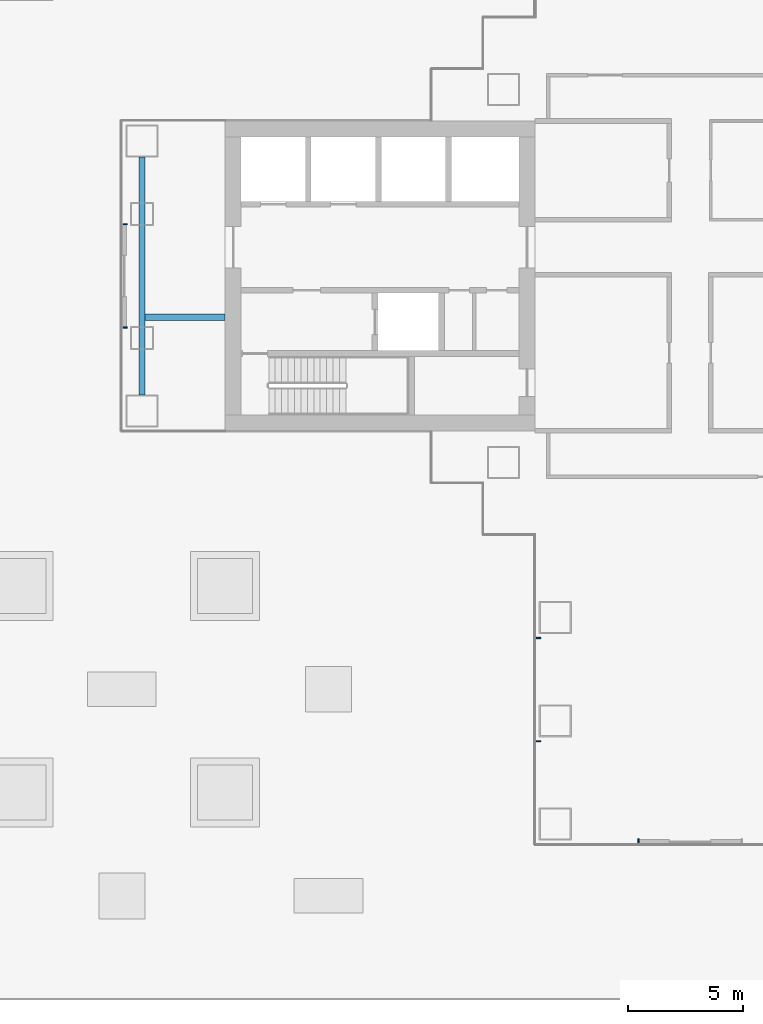
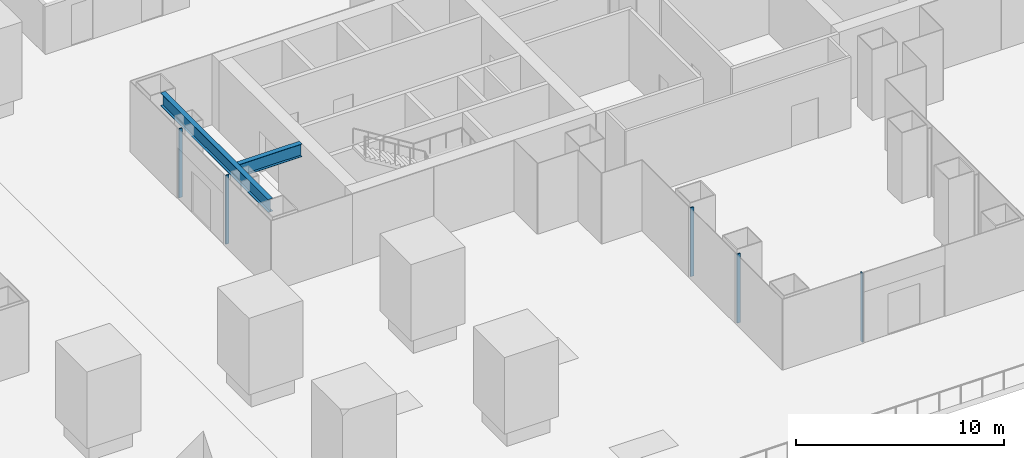
# One storey, part 7 of 23: 5 members, 2 beams, 3 elements without a shape of their own.
"""IFC4 building model written with IfcOpenShell, lengths in metres."""

from ifc_helpers import new_model, si_unit, direction, frame, origin, origin_2d, place, context, subcontext, project, spatial, rectangle, i_section, extrude, material, layer, layer_set, material_profile, profile_set, type_object, element, aggregate, save


model = new_model("IFC4")

# Units and contexts
model_context = context("Model", 3, precision=1e-05, world=origin(), true_north=direction((0.0, 1.0)))
body_context = subcontext(model_context, "Body", "Model", "MODEL_VIEW")
ifc_project = project(units=[si_unit("LENGTHUNIT", "METRE"), si_unit("AREAUNIT", "SQUARE_METRE"), si_unit("VOLUMEUNIT", "CUBIC_METRE"), si_unit("PLANEANGLEUNIT", "RADIAN"), si_unit("MASSUNIT", "GRAM", prefix="KILO")], contexts=[model_context])

# Site, building, storey
site_placement = place(None, origin())
site = spatial("IfcSite", under=ifc_project, at=site_placement, CompositionType="ELEMENT")
building_placement = place(site_placement, origin())
building = spatial("IfcBuilding", under=site, at=building_placement, Name="Shamsa Quay Exchange Towers", CompositionType="ELEMENT")
storey_placement = place(building_placement, frame((0.0, 0.0, 28.5)))
storey = spatial("IfcBuildingStorey", under=building, at=storey_placement, Name="L05", CompositionType="ELEMENT", Elevation=28.5)

# Curtain wall, members
ifc_material_1 = material(Name="Aluminium EN AW-6063 T6, black anodised", Category="aluminium")
ifc_layer = layer(ifc_material_1, 0.280029296875)
ifc_layer_set = layer_set([ifc_layer], Name="CW-1 UNITISED VISION GLASS")
curtain_wall_type = type_object("IfcCurtainWallType", Name="CW-1 UNITISED VISION GLASS", PredefinedType="NOTDEFINED", material=ifc_layer_set)
curtain_wall_1_placement = place(storey_placement, origin())
curtain_wall_1 = element("IfcCurtainWall", 1, at=curtain_wall_1_placement, inside=storey, type_object=curtain_wall_type, Name="CW1 T2-END-V+ L05", PredefinedType="NOTDEFINED")
ifc_material_profile_1 = material_profile(ifc_material_1, rectangle(XDim=0.179931640625, YDim=0.06005859375, at=origin_2d()), Name="MU60x180")
ifc_profile_set_1 = profile_set([ifc_material_profile_1], Name="Aluminium EN AW-6063 T6, black anodised")
member_type = type_object("IfcMemberType", Name="CW1 MULLION 60x180", PredefinedType="MULLION", material=ifc_profile_set_1)
member_1_placement = place(storey_placement, frame((9.14990234375, 2.25, 0.0)))
member_1 = element("IfcMember", 2, at=member_1_placement, type_object=member_type, Name="CW1 mullion", PredefinedType="MULLION", context=body_context, shape_type="SweptSolid", body=[
    extrude(rectangle(XDim=0.179931640625, YDim=0.06005859375, at=origin_2d()), origin(), (0.0, 0.0, 1.0), 4.050048828125),
])
member_2_placement = place(storey_placement, frame((9.14990234375, -2.25, 0.0)))
member_2 = element("IfcMember", 3, at=member_2_placement, type_object=member_type, Name="CW1 mullion", PredefinedType="MULLION", context=body_context, shape_type="SweptSolid", body=[
    extrude(rectangle(XDim=0.179931640625, YDim=0.06005859375, at=origin_2d()), origin(), (0.0, 0.0, 1.0), 4.050048828125),
])
aggregate(curtain_wall_1, [member_1, member_2])

curtain_wall_2_placement = place(storey_placement, origin())
curtain_wall_2 = element("IfcCurtainWall", 4, at=curtain_wall_2_placement, inside=storey, type_object=curtain_wall_type, Name="CW1 T2-FLK-U-N L05", PredefinedType="NOTDEFINED")
member_3_placement = place(storey_placement, frame((27.14990234375, -15.775390625, 0.0)))
member_3 = element("IfcMember", 5, at=member_3_placement, type_object=member_type, Name="CW1 mullion", PredefinedType="MULLION", context=body_context, shape_type="SweptSolid", body=[
    extrude(rectangle(XDim=0.179931640625, YDim=0.06005859375, at=origin_2d()), origin(), (0.0, 0.0, 1.0), 4.050048828125),
])
member_4_placement = place(storey_placement, frame((27.14990234375, -20.2626953125, 0.0)))
member_4 = element("IfcMember", 6, at=member_4_placement, type_object=member_type, Name="CW1 mullion", PredefinedType="MULLION", context=body_context, shape_type="SweptSolid", body=[
    extrude(rectangle(XDim=0.179931640625, YDim=0.06005859375, at=origin_2d()), origin(), (0.0, 0.0, 1.0), 4.050048828125),
])
aggregate(curtain_wall_2, [member_3, member_4])

# Curtain wall, member
curtain_wall_3_placement = place(storey_placement, origin())
curtain_wall_3 = element("IfcCurtainWall", 7, at=curtain_wall_3_placement, inside=storey, type_object=curtain_wall_type, Name="CW1 T2-END-U- L05", PredefinedType="NOTDEFINED")
member_5_placement = place(storey_placement, frame((31.5, -24.60009765625, 0.0), z_axis=(0.0, 0.0, 1.0), x_axis=(0.0, 1.0, 0.0)))
member_5 = element("IfcMember", 8, at=member_5_placement, type_object=member_type, Name="CW1 mullion", PredefinedType="MULLION", context=body_context, shape_type="SweptSolid", body=[
    extrude(rectangle(XDim=0.179931640625, YDim=0.06005859375, at=origin_2d()), origin(), (0.0, 0.0, 1.0), 4.050048828125),
])
aggregate(curtain_wall_3, [member_5])

# Beams
ifc_material_2 = material(Name="Steel S355", Category="steel")
ifc_material_profile_2 = material_profile(ifc_material_2, i_section(OverallWidth=0.26611328125, OverallDepth=0.7578125, WebThickness=0.013916015625, FlangeThickness=0.019287109375, at=origin_2d()), Name="W30x108")
ifc_profile_set_2 = profile_set([ifc_material_profile_2], Name="Steel S355")
beam_type = type_object("IfcBeamType", Name="End-zone beam W30x108", PredefinedType="BEAM", material=ifc_profile_set_2)
beam_1_placement = place(storey_placement, frame((9.875, -5.175048828125, 3.771240234375), z_axis=(0.0, 1.0, 0.0), x_axis=(-1.0, 0.0, 0.0)))
element("IfcBeam", 9, at=beam_1_placement, inside=storey, type_object=beam_type, Name="End beam T2 V+ end zone L05", PredefinedType="BEAM", context=body_context, shape_type="SweptSolid", body=[
    extrude(i_section(OverallWidth=0.26611328125, OverallDepth=0.7578125, WebThickness=0.013916015625, FlangeThickness=0.019287109375, at=origin_2d()), origin(), (0.0, 0.0, 1.0), 10.35009765625),
])
beam_2_placement = place(storey_placement, frame((13.5, -1.800048828125, 3.771240234375), z_axis=(-1.0, 0.0, 0.0), x_axis=(0.0, -1.0, 0.0)))
element("IfcBeam", 10, at=beam_2_placement, inside=storey, type_object=beam_type, Name="Spine beam T2 V+ end zone L05", PredefinedType="BEAM", context=body_context, shape_type="SweptSolid", body=[
    extrude(i_section(OverallWidth=0.26611328125, OverallDepth=0.7578125, WebThickness=0.013916015625, FlangeThickness=0.019287109375, at=origin_2d()), origin(), (0.0, 0.0, 1.0), 3.491943359375),
])

save(model, "model.ifc")
